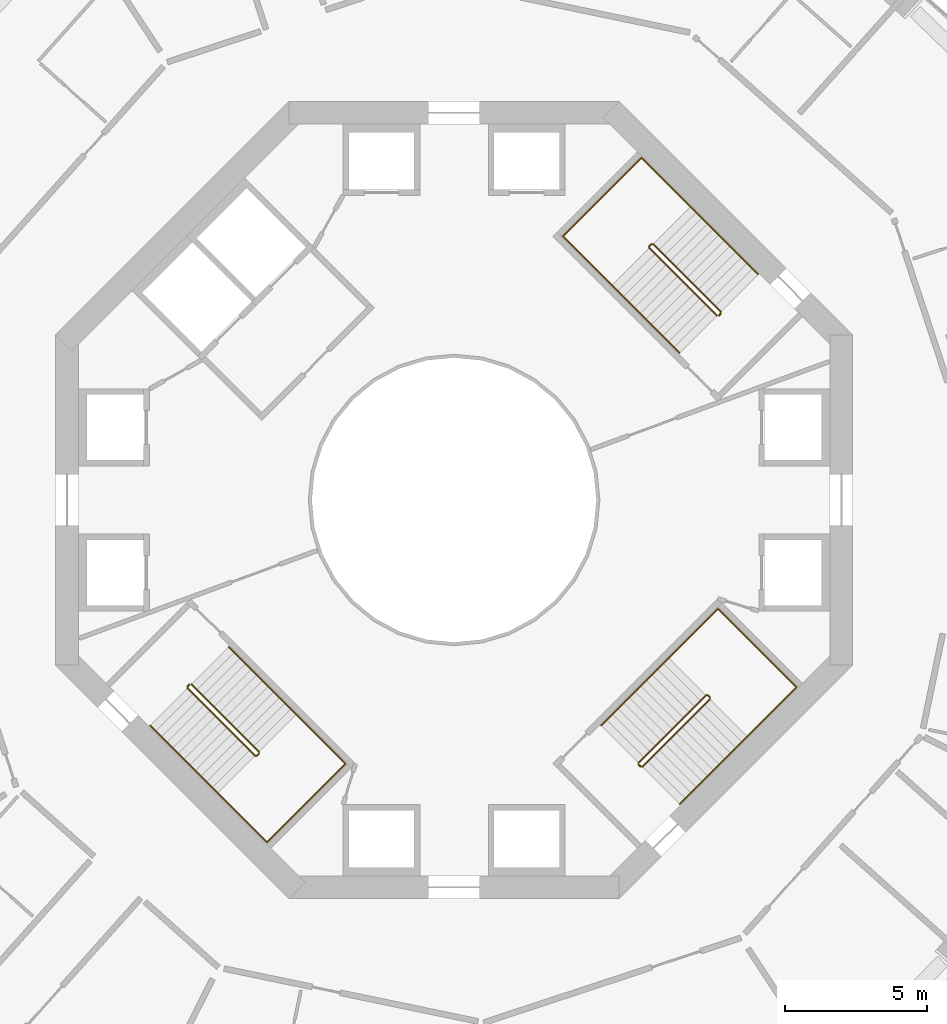
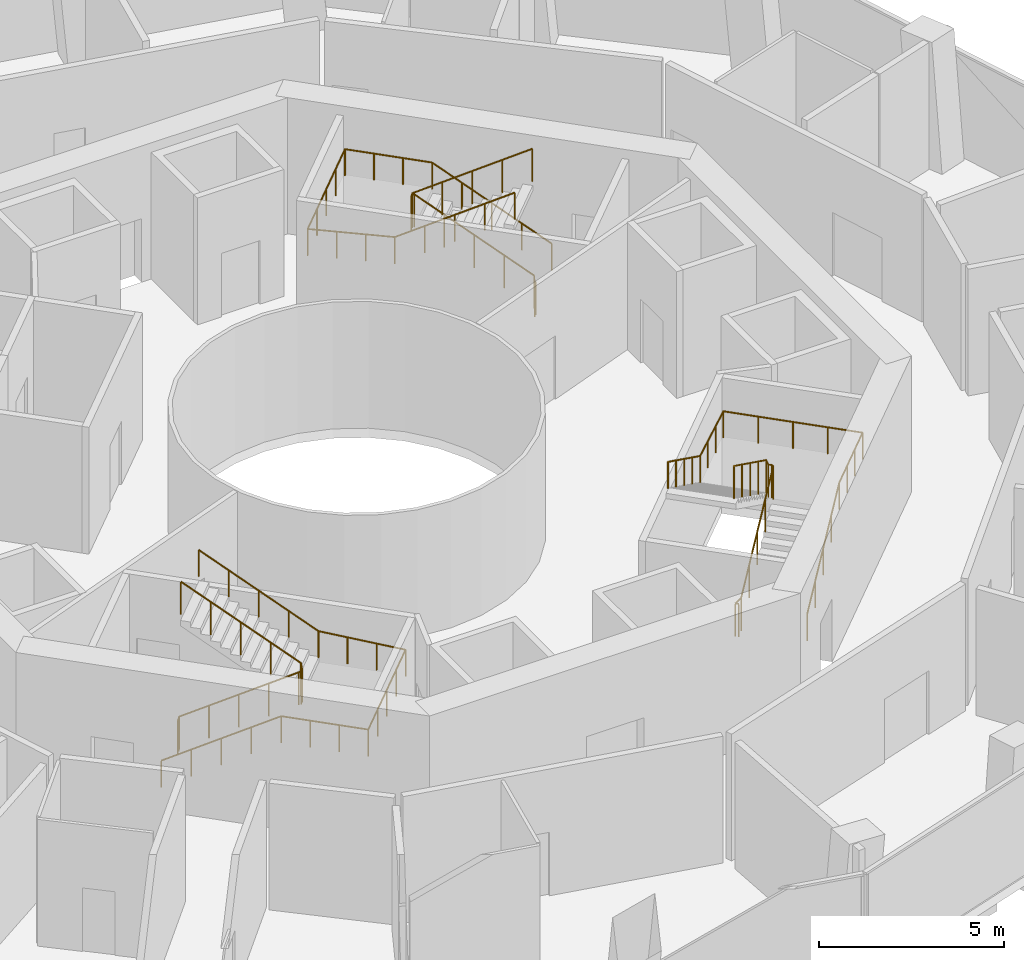
# One storey, part 21 of 21: 6 railings.
"""IFC4 building model written with IfcOpenShell, lengths in metres."""

from ifc_helpers import new_model, si_unit, direction, frame, origin, origin_2d, place, context, subcontext, project, spatial, circle, extrude, material, type_object, element, save


model = new_model("IFC4")

# Units and contexts
model_context = context("Model", 3, precision=1e-05, world=origin(), true_north=direction((0.0, 1.0)))
body_context = subcontext(model_context, "Body", "Model", "MODEL_VIEW")
ifc_project = project(units=[si_unit("LENGTHUNIT", "METRE"), si_unit("AREAUNIT", "SQUARE_METRE"), si_unit("VOLUMEUNIT", "CUBIC_METRE"), si_unit("PLANEANGLEUNIT", "RADIAN"), si_unit("MASSUNIT", "GRAM", prefix="KILO")], contexts=[model_context])

# Site, building, storey
site_placement = place(None, origin())
site = spatial("IfcSite", under=ifc_project, at=site_placement, CompositionType="ELEMENT")
building_placement = place(site_placement, origin())
building = spatial("IfcBuilding", under=site, at=building_placement, Name="Verdalira Terraces Hotel", CompositionType="ELEMENT")
storey_placement = place(building_placement, frame((0.0, 0.0, 107.0)))
storey = spatial("IfcBuildingStorey", under=building, at=storey_placement, Name="L25", CompositionType="ELEMENT", Elevation=107.0)

# Railings
ifc_material_1 = material(Name="Stainless steel", Category="steel")
railing_type_1 = type_object("IfcRailingType", Name="Stair guard 1100", PredefinedType="GUARDRAIL", material=ifc_material_1)
railing_1_placement = place(storey_placement, frame((9.369141, 6.540771, 0.0)))
element("IfcRailing", 1, at=railing_1_placement, inside=storey, type_object=railing_type_1, Name="L25 ST1 stair guard 1", PredefinedType="GUARDRAIL", context=body_context, shape_type="SweptSolid", body=[
    extrude(circle(Radius=0.023926, at=origin_2d()), frame((0.0, 0.0, 1.076172), z_axis=(-0.707106781, -0.707106781, 0.0), x_axis=(0.707106781, -0.707106781, 0.0)), (0.0, 0.0, 1.0), 0.100098),
    extrude(circle(Radius=0.023926, at=origin_2d()), frame((-0.070801, -0.070801, 1.076172), z_axis=(0.302014195, 0.602986962, 0.738372636), x_axis=(-0.894118129, 0.447831187, 0.0)), (0.0, 0.0, 1.0), 0.234375),
    extrude(circle(Radius=0.023926, at=origin_2d()), frame((0.0, 0.070557, 1.249023), z_axis=(-0.601482972, 0.601482972, 0.52577226), x_axis=(-0.707106781, -0.707106781, 0.0)), (0.0, 0.0, 1.0), 3.950195),
    extrude(circle(Radius=0.023926, at=origin_2d()), frame((-2.375977, 2.446533, 3.326172), z_axis=(-1.0, 0.0, 0.0), x_axis=(0.0, -1.0, 0.0)), (0.0, 0.0, 1.0), 0.070557),
    extrude(circle(Radius=0.023926, at=origin_2d()), frame((-2.446533, 2.446533, 3.326172), z_axis=(-0.707106781, -0.707106781, 0.0), x_axis=(0.707106781, -0.707106781, 0.0)), (0.0, 0.0, 1.0), 0.100098),
    extrude(circle(Radius=0.023926, at=origin_2d()), frame((-2.517334, 2.375732, 3.326172), z_axis=(0.0, -0.377462833, 0.926024735), x_axis=(1.0, 0.0, 0.0)), (0.0, 0.0, 1.0), 0.187012),
    extrude(circle(Radius=0.023926, at=origin_2d()), frame((-2.517334, 2.305176, 3.499023), z_axis=(0.601482972, -0.601482972, 0.52577226), x_axis=(0.707106781, 0.707106781, 0.0)), (0.0, 0.0, 1.0), 3.950195),
    extrude(circle(Radius=0.020996, at=origin_2d()), origin(), (0.0, 0.0, 1.0), 1.052002),
    extrude(circle(Radius=0.020996, at=origin_2d()), frame((-0.070801, -0.070801, 0.0)), (0.0, 0.0, 1.0), 1.052002),
    extrude(circle(Radius=0.020996, at=origin_2d()), frame((0.0, 0.070557, 0.173096)), (0.0, 0.0, 1.0), 1.052002),
    extrude(circle(Radius=0.020996, at=origin_2d()), frame((-0.593994, 0.664551, 0.692383)), (0.0, 0.0, 1.0), 1.052002),
    extrude(circle(Radius=0.020996, at=origin_2d()), frame((-1.187988, 1.258545, 1.211426)), (0.0, 0.0, 1.0), 1.052002),
    extrude(circle(Radius=0.020996, at=origin_2d()), frame((-1.781982, 1.852539, 1.730713)), (0.0, 0.0, 1.0), 1.052002),
    extrude(circle(Radius=0.020996, at=origin_2d()), frame((-2.375977, 2.446533, 2.25)), (0.0, 0.0, 1.0), 1.052002),
    extrude(circle(Radius=0.020996, at=origin_2d()), frame((-2.446533, 2.446533, 2.25)), (0.0, 0.0, 1.0), 1.052002),
    extrude(circle(Radius=0.020996, at=origin_2d()), frame((-2.517334, 2.375732, 2.25)), (0.0, 0.0, 1.0), 1.052002),
    extrude(circle(Radius=0.020996, at=origin_2d()), frame((-2.517334, 2.305176, 2.423096)), (0.0, 0.0, 1.0), 1.052002),
    extrude(circle(Radius=0.020996, at=origin_2d()), frame((-1.92334, 1.711182, 2.942383)), (0.0, 0.0, 1.0), 1.052002),
    extrude(circle(Radius=0.020996, at=origin_2d()), frame((-1.329346, 1.117188, 3.461426)), (0.0, 0.0, 1.0), 1.052002),
    extrude(circle(Radius=0.020996, at=origin_2d()), frame((-0.735352, 0.523193, 3.980713)), (0.0, 0.0, 1.0), 1.052002),
    extrude(circle(Radius=0.020996, at=origin_2d()), frame((-0.141357, -0.070801, 4.5)), (0.0, 0.0, 1.0), 1.052002),
])
railing_2_placement = place(storey_placement, frame((-9.369141, -6.540771, 0.0)))
element("IfcRailing", 2, at=railing_2_placement, inside=storey, type_object=railing_type_1, Name="L25 ST2 stair guard 1", PredefinedType="GUARDRAIL", context=body_context, shape_type="SweptSolid", body=[
    extrude(circle(Radius=0.023926, at=origin_2d()), frame((0.0, 0.0, 1.076172), z_axis=(0.707106781, 0.707106781, 0.0), x_axis=(-0.707106781, 0.707106781, 0.0)), (0.0, 0.0, 1.0), 0.100098),
    extrude(circle(Radius=0.023926, at=origin_2d()), frame((0.070801, 0.070801, 1.076172), z_axis=(-0.302014195, -0.602986962, 0.738372636), x_axis=(0.894118129, -0.447831187, 0.0)), (0.0, 0.0, 1.0), 0.234375),
    extrude(circle(Radius=0.023926, at=origin_2d()), frame((0.0, -0.070557, 1.249023), z_axis=(0.601482972, -0.601482972, 0.52577226), x_axis=(0.707106781, 0.707106781, 0.0)), (0.0, 0.0, 1.0), 3.950195),
    extrude(circle(Radius=0.023926, at=origin_2d()), frame((2.375977, -2.446533, 3.326172), z_axis=(1.0, 0.0, 0.0), x_axis=(0.0, 1.0, 0.0)), (0.0, 0.0, 1.0), 0.070557),
    extrude(circle(Radius=0.023926, at=origin_2d()), frame((2.446533, -2.446533, 3.326172), z_axis=(0.707106781, 0.707106781, 0.0), x_axis=(-0.707106781, 0.707106781, 0.0)), (0.0, 0.0, 1.0), 0.100098),
    extrude(circle(Radius=0.023926, at=origin_2d()), frame((2.517334, -2.375732, 3.326172), z_axis=(0.0, 0.377462833, 0.926024735), x_axis=(-1.0, 0.0, 0.0)), (0.0, 0.0, 1.0), 0.187012),
    extrude(circle(Radius=0.023926, at=origin_2d()), frame((2.517334, -2.305176, 3.499023), z_axis=(-0.601482972, 0.601482972, 0.52577226), x_axis=(-0.707106781, -0.707106781, 0.0)), (0.0, 0.0, 1.0), 3.950195),
    extrude(circle(Radius=0.020996, at=origin_2d()), origin(), (0.0, 0.0, 1.0), 1.052002),
    extrude(circle(Radius=0.020996, at=origin_2d()), frame((0.070801, 0.070801, 0.0)), (0.0, 0.0, 1.0), 1.052002),
    extrude(circle(Radius=0.020996, at=origin_2d()), frame((0.0, -0.070557, 0.173096)), (0.0, 0.0, 1.0), 1.052002),
    extrude(circle(Radius=0.020996, at=origin_2d()), frame((0.593994, -0.664551, 0.692383)), (0.0, 0.0, 1.0), 1.052002),
    extrude(circle(Radius=0.020996, at=origin_2d()), frame((1.187988, -1.258545, 1.211426)), (0.0, 0.0, 1.0), 1.052002),
    extrude(circle(Radius=0.020996, at=origin_2d()), frame((1.781982, -1.852539, 1.730713)), (0.0, 0.0, 1.0), 1.052002),
    extrude(circle(Radius=0.020996, at=origin_2d()), frame((2.375977, -2.446533, 2.25)), (0.0, 0.0, 1.0), 1.052002),
    extrude(circle(Radius=0.020996, at=origin_2d()), frame((2.446533, -2.446533, 2.25)), (0.0, 0.0, 1.0), 1.052002),
    extrude(circle(Radius=0.020996, at=origin_2d()), frame((2.517334, -2.375732, 2.25)), (0.0, 0.0, 1.0), 1.052002),
    extrude(circle(Radius=0.020996, at=origin_2d()), frame((2.517334, -2.305176, 2.423096)), (0.0, 0.0, 1.0), 1.052002),
    extrude(circle(Radius=0.020996, at=origin_2d()), frame((1.92334, -1.711182, 2.942383)), (0.0, 0.0, 1.0), 1.052002),
    extrude(circle(Radius=0.020996, at=origin_2d()), frame((1.329346, -1.117188, 3.461426)), (0.0, 0.0, 1.0), 1.052002),
    extrude(circle(Radius=0.020996, at=origin_2d()), frame((0.735352, -0.523193, 3.980713)), (0.0, 0.0, 1.0), 1.052002),
    extrude(circle(Radius=0.020996, at=origin_2d()), frame((0.141357, 0.070801, 4.5)), (0.0, 0.0, 1.0), 1.052002),
])
railing_3_placement = place(storey_placement, frame((6.540771, -9.369141, 0.0)))
element("IfcRailing", 3, at=railing_3_placement, inside=storey, type_object=railing_type_1, Name="L25 ST3 stair guard 1", PredefinedType="GUARDRAIL", context=body_context, shape_type="SweptSolid", body=[
    extrude(circle(Radius=0.023926, at=origin_2d()), frame((0.0, 0.0, 1.076172), z_axis=(-0.707106781, 0.707106781, 0.0), x_axis=(-0.707106781, -0.707106781, 0.0)), (0.0, 0.0, 1.0), 0.100098),
    extrude(circle(Radius=0.023926, at=origin_2d()), frame((-0.070801, 0.070801, 1.076172), z_axis=(0.602986962, -0.302014195, 0.738372636), x_axis=(0.447831187, 0.894118129, 0.0)), (0.0, 0.0, 1.0), 0.234375),
    extrude(circle(Radius=0.023926, at=origin_2d()), frame((0.070557, 0.0, 1.249023), z_axis=(0.601482972, 0.601482972, 0.52577226), x_axis=(-0.707106781, 0.707106781, 0.0)), (0.0, 0.0, 1.0), 3.950195),
    extrude(circle(Radius=0.023926, at=origin_2d()), frame((2.446533, 2.375977, 3.326172), z_axis=(0.0, 1.0, 0.0), x_axis=(-1.0, 0.0, 0.0)), (0.0, 0.0, 1.0), 0.070557),
    extrude(circle(Radius=0.023926, at=origin_2d()), frame((2.446533, 2.446533, 3.326172), z_axis=(-0.707106781, 0.707106781, 0.0), x_axis=(-0.707106781, -0.707106781, 0.0)), (0.0, 0.0, 1.0), 0.100098),
    extrude(circle(Radius=0.023926, at=origin_2d()), frame((2.375732, 2.517334, 3.326172), z_axis=(-0.377462833, 0.0, 0.926024735), x_axis=(0.0, -1.0, 0.0)), (0.0, 0.0, 1.0), 0.187012),
    extrude(circle(Radius=0.023926, at=origin_2d()), frame((2.305176, 2.517334, 3.499023), z_axis=(-0.601482972, -0.601482972, 0.52577226), x_axis=(0.707106781, -0.707106781, 0.0)), (0.0, 0.0, 1.0), 3.950195),
    extrude(circle(Radius=0.020996, at=origin_2d()), origin(), (0.0, 0.0, 1.0), 1.052002),
    extrude(circle(Radius=0.020996, at=origin_2d()), frame((-0.070801, 0.070801, 0.0)), (0.0, 0.0, 1.0), 1.052002),
    extrude(circle(Radius=0.020996, at=origin_2d()), frame((0.070557, 0.0, 0.173096)), (0.0, 0.0, 1.0), 1.052002),
    extrude(circle(Radius=0.020996, at=origin_2d()), frame((0.664551, 0.593994, 0.692383)), (0.0, 0.0, 1.0), 1.052002),
    extrude(circle(Radius=0.020996, at=origin_2d()), frame((1.258545, 1.187988, 1.211426)), (0.0, 0.0, 1.0), 1.052002),
    extrude(circle(Radius=0.020996, at=origin_2d()), frame((1.852539, 1.781982, 1.730713)), (0.0, 0.0, 1.0), 1.052002),
    extrude(circle(Radius=0.020996, at=origin_2d()), frame((2.446533, 2.375977, 2.25)), (0.0, 0.0, 1.0), 1.052002),
    extrude(circle(Radius=0.020996, at=origin_2d()), frame((2.446533, 2.446533, 2.25)), (0.0, 0.0, 1.0), 1.052002),
    extrude(circle(Radius=0.020996, at=origin_2d()), frame((2.375732, 2.517334, 2.25)), (0.0, 0.0, 1.0), 1.052002),
    extrude(circle(Radius=0.020996, at=origin_2d()), frame((2.305176, 2.517334, 2.423096)), (0.0, 0.0, 1.0), 1.052002),
    extrude(circle(Radius=0.020996, at=origin_2d()), frame((1.711182, 1.92334, 2.942383)), (0.0, 0.0, 1.0), 1.052002),
    extrude(circle(Radius=0.020996, at=origin_2d()), frame((1.117188, 1.329346, 3.461426)), (0.0, 0.0, 1.0), 1.052002),
    extrude(circle(Radius=0.020996, at=origin_2d()), frame((0.523193, 0.735352, 3.980713)), (0.0, 0.0, 1.0), 1.052002),
    extrude(circle(Radius=0.020996, at=origin_2d()), frame((-0.070801, 0.141357, 4.5)), (0.0, 0.0, 1.0), 1.052002),
])
ifc_material_2 = material(Name="Stainless steel", Category="steel")
railing_type_2 = type_object("IfcRailingType", Name="Stair handrail 900", PredefinedType="HANDRAIL", material=ifc_material_2)
railing_4_placement = place(storey_placement, frame((10.677246, 7.919678, 0.173096)))
element("IfcRailing", 4, at=railing_4_placement, inside=storey, type_object=railing_type_2, Name="L25 ST1 stair handrail 1", PredefinedType="HANDRAIL", context=body_context, shape_type="SweptSolid", body=[
    extrude(circle(Radius=0.023926, at=origin_2d()), frame((0.0, 0.0, 0.875977), z_axis=(-0.601465885, 0.601465885, 0.525811353), x_axis=(-0.707106781, -0.707106781, 0.0)), (0.0, 0.0, 1.0), 3.949951),
    extrude(circle(Radius=0.023926, at=origin_2d()), frame((-2.375732, 2.375732, 2.952637), z_axis=(-0.707106781, 0.707106781, 0.0), x_axis=(-0.707106781, -0.707106781, 0.0)), (0.0, 0.0, 1.0), 2.439941),
    extrude(circle(Radius=0.023926, at=origin_2d()), frame((-4.101074, 4.101074, 2.952637), z_axis=(-0.707138081, -0.70707548, 0.0), x_axis=(0.70707548, -0.707138081, 0.0)), (0.0, 0.0, 1.0), 3.899902),
    extrude(circle(Radius=0.023926, at=origin_2d()), frame((-6.858887, 1.343506, 2.952637), z_axis=(0.705334177, -0.705334177, 0.070762973), x_axis=(0.707106781, 0.707106781, 0.0)), (0.0, 0.0, 1.0), 2.446045),
    extrude(circle(Radius=0.023926, at=origin_2d()), frame((-5.133545, -0.381836, 3.125977), z_axis=(0.601482972, -0.601482972, 0.52577226), x_axis=(0.707106781, 0.707106781, 0.0)), (0.0, 0.0, 1.0), 3.950195),
    extrude(circle(Radius=0.020996, at=origin_2d()), origin(), (0.0, 0.0, 1.0), 0.851807),
    extrude(circle(Radius=0.020996, at=origin_2d()), frame((-0.593994, 0.593994, 0.519287)), (0.0, 0.0, 1.0), 0.851807),
    extrude(circle(Radius=0.020996, at=origin_2d()), frame((-1.187988, 1.187988, 1.038574)), (0.0, 0.0, 1.0), 0.851807),
    extrude(circle(Radius=0.020996, at=origin_2d()), frame((-1.781738, 1.781738, 1.557617)), (0.0, 0.0, 1.0), 0.851807),
    extrude(circle(Radius=0.020996, at=origin_2d()), frame((-2.375732, 2.375732, 2.076904)), (0.0, 0.0, 1.0), 0.851807),
    extrude(circle(Radius=0.020996, at=origin_2d()), frame((-2.950928, 2.950928, 2.076904)), (0.0, 0.0, 1.0), 0.851807),
    extrude(circle(Radius=0.020996, at=origin_2d()), frame((-3.525879, 3.525879, 2.076904)), (0.0, 0.0, 1.0), 0.851807),
    extrude(circle(Radius=0.020996, at=origin_2d()), frame((-4.101074, 4.101074, 2.076904)), (0.0, 0.0, 1.0), 0.851807),
    extrude(circle(Radius=0.020996, at=origin_2d()), frame((-4.790527, 3.411621, 2.076904)), (0.0, 0.0, 1.0), 0.851807),
    extrude(circle(Radius=0.020996, at=origin_2d()), frame((-5.47998, 2.722168, 2.076904)), (0.0, 0.0, 1.0), 0.851807),
    extrude(circle(Radius=0.020996, at=origin_2d()), frame((-6.169434, 2.032959, 2.076904)), (0.0, 0.0, 1.0), 0.851807),
    extrude(circle(Radius=0.020996, at=origin_2d()), frame((-6.858887, 1.343506, 2.076904)), (0.0, 0.0, 1.0), 0.851807),
    extrude(circle(Radius=0.020996, at=origin_2d()), frame((-6.283691, 0.768311, 2.134521)), (0.0, 0.0, 1.0), 0.851807),
    extrude(circle(Radius=0.020996, at=origin_2d()), frame((-5.70874, 0.193359, 2.192383)), (0.0, 0.0, 1.0), 0.851807),
    extrude(circle(Radius=0.020996, at=origin_2d()), frame((-5.133545, -0.381836, 2.25)), (0.0, 0.0, 1.0), 0.851807),
    extrude(circle(Radius=0.020996, at=origin_2d()), frame((-4.539551, -0.97583, 2.769287)), (0.0, 0.0, 1.0), 0.851807),
    extrude(circle(Radius=0.020996, at=origin_2d()), frame((-3.945557, -1.569824, 3.288574)), (0.0, 0.0, 1.0), 0.851807),
    extrude(circle(Radius=0.020996, at=origin_2d()), frame((-3.351562, -2.163818, 3.807617)), (0.0, 0.0, 1.0), 0.851807),
    extrude(circle(Radius=0.020996, at=origin_2d()), frame((-2.757568, -2.757812, 4.326904)), (0.0, 0.0, 1.0), 0.851807),
])
railing_5_placement = place(storey_placement, frame((-10.677246, -7.919678, 0.173096)))
element("IfcRailing", 5, at=railing_5_placement, inside=storey, type_object=railing_type_2, Name="L25 ST2 stair handrail 1", PredefinedType="HANDRAIL", context=body_context, shape_type="SweptSolid", body=[
    extrude(circle(Radius=0.023926, at=origin_2d()), frame((0.0, 0.0, 0.875977), z_axis=(0.601465885, -0.601465885, 0.525811353), x_axis=(0.707106781, 0.707106781, 0.0)), (0.0, 0.0, 1.0), 3.949951),
    extrude(circle(Radius=0.023926, at=origin_2d()), frame((2.375732, -2.375732, 2.952637), z_axis=(0.707106781, -0.707106781, 0.0), x_axis=(0.707106781, 0.707106781, 0.0)), (0.0, 0.0, 1.0), 2.439941),
    extrude(circle(Radius=0.023926, at=origin_2d()), frame((4.101074, -4.101074, 2.952637), z_axis=(0.707138081, 0.70707548, 0.0), x_axis=(-0.70707548, 0.707138081, 0.0)), (0.0, 0.0, 1.0), 3.899902),
    extrude(circle(Radius=0.023926, at=origin_2d()), frame((6.858887, -1.343506, 2.952637), z_axis=(-0.705334177, 0.705334177, 0.070762973), x_axis=(-0.707106781, -0.707106781, 0.0)), (0.0, 0.0, 1.0), 2.446045),
    extrude(circle(Radius=0.023926, at=origin_2d()), frame((5.133545, 0.381836, 3.125977), z_axis=(-0.601482972, 0.601482972, 0.52577226), x_axis=(-0.707106781, -0.707106781, 0.0)), (0.0, 0.0, 1.0), 3.950195),
    extrude(circle(Radius=0.020996, at=origin_2d()), origin(), (0.0, 0.0, 1.0), 0.851807),
    extrude(circle(Radius=0.020996, at=origin_2d()), frame((0.593994, -0.593994, 0.519287)), (0.0, 0.0, 1.0), 0.851807),
    extrude(circle(Radius=0.020996, at=origin_2d()), frame((1.187988, -1.187988, 1.038574)), (0.0, 0.0, 1.0), 0.851807),
    extrude(circle(Radius=0.020996, at=origin_2d()), frame((1.781738, -1.781738, 1.557617)), (0.0, 0.0, 1.0), 0.851807),
    extrude(circle(Radius=0.020996, at=origin_2d()), frame((2.375732, -2.375732, 2.076904)), (0.0, 0.0, 1.0), 0.851807),
    extrude(circle(Radius=0.020996, at=origin_2d()), frame((2.950928, -2.950928, 2.076904)), (0.0, 0.0, 1.0), 0.851807),
    extrude(circle(Radius=0.020996, at=origin_2d()), frame((3.525879, -3.525879, 2.076904)), (0.0, 0.0, 1.0), 0.851807),
    extrude(circle(Radius=0.020996, at=origin_2d()), frame((4.101074, -4.101074, 2.076904)), (0.0, 0.0, 1.0), 0.851807),
    extrude(circle(Radius=0.020996, at=origin_2d()), frame((4.790527, -3.411621, 2.076904)), (0.0, 0.0, 1.0), 0.851807),
    extrude(circle(Radius=0.020996, at=origin_2d()), frame((5.47998, -2.722168, 2.076904)), (0.0, 0.0, 1.0), 0.851807),
    extrude(circle(Radius=0.020996, at=origin_2d()), frame((6.169434, -2.032959, 2.076904)), (0.0, 0.0, 1.0), 0.851807),
    extrude(circle(Radius=0.020996, at=origin_2d()), frame((6.858887, -1.343506, 2.076904)), (0.0, 0.0, 1.0), 0.851807),
    extrude(circle(Radius=0.020996, at=origin_2d()), frame((6.283691, -0.768311, 2.134521)), (0.0, 0.0, 1.0), 0.851807),
    extrude(circle(Radius=0.020996, at=origin_2d()), frame((5.70874, -0.193359, 2.192383)), (0.0, 0.0, 1.0), 0.851807),
    extrude(circle(Radius=0.020996, at=origin_2d()), frame((5.133545, 0.381836, 2.25)), (0.0, 0.0, 1.0), 0.851807),
    extrude(circle(Radius=0.020996, at=origin_2d()), frame((4.539551, 0.97583, 2.769287)), (0.0, 0.0, 1.0), 0.851807),
    extrude(circle(Radius=0.020996, at=origin_2d()), frame((3.945557, 1.569824, 3.288574)), (0.0, 0.0, 1.0), 0.851807),
    extrude(circle(Radius=0.020996, at=origin_2d()), frame((3.351562, 2.163818, 3.807617)), (0.0, 0.0, 1.0), 0.851807),
    extrude(circle(Radius=0.020996, at=origin_2d()), frame((2.757568, 2.757812, 4.326904)), (0.0, 0.0, 1.0), 0.851807),
])
railing_6_placement = place(storey_placement, frame((7.919678, -10.677246, 0.173096)))
element("IfcRailing", 6, at=railing_6_placement, inside=storey, type_object=railing_type_2, Name="L25 ST3 stair handrail 1", PredefinedType="HANDRAIL", context=body_context, shape_type="SweptSolid", body=[
    extrude(circle(Radius=0.023926, at=origin_2d()), frame((0.0, 0.0, 0.875977), z_axis=(0.601465885, 0.601465885, 0.525811353), x_axis=(-0.707106781, 0.707106781, 0.0)), (0.0, 0.0, 1.0), 3.949951),
    extrude(circle(Radius=0.023926, at=origin_2d()), frame((2.375732, 2.375732, 2.952637), z_axis=(0.707106781, 0.707106781, 0.0), x_axis=(-0.707106781, 0.707106781, 0.0)), (0.0, 0.0, 1.0), 2.439941),
    extrude(circle(Radius=0.023926, at=origin_2d()), frame((4.101074, 4.101074, 2.952637), z_axis=(-0.70707548, 0.707138081, 0.0), x_axis=(-0.707138081, -0.70707548, 0.0)), (0.0, 0.0, 1.0), 3.899902),
    extrude(circle(Radius=0.023926, at=origin_2d()), frame((1.343506, 6.858887, 2.952637), z_axis=(-0.705334177, -0.705334177, 0.070762973), x_axis=(0.707106781, -0.707106781, 0.0)), (0.0, 0.0, 1.0), 2.446045),
    extrude(circle(Radius=0.023926, at=origin_2d()), frame((-0.381836, 5.133545, 3.125977), z_axis=(-0.601482972, -0.601482972, 0.52577226), x_axis=(0.707106781, -0.707106781, 0.0)), (0.0, 0.0, 1.0), 3.950195),
    extrude(circle(Radius=0.020996, at=origin_2d()), origin(), (0.0, 0.0, 1.0), 0.851807),
    extrude(circle(Radius=0.020996, at=origin_2d()), frame((0.593994, 0.593994, 0.519287)), (0.0, 0.0, 1.0), 0.851807),
    extrude(circle(Radius=0.020996, at=origin_2d()), frame((1.187988, 1.187988, 1.038574)), (0.0, 0.0, 1.0), 0.851807),
    extrude(circle(Radius=0.020996, at=origin_2d()), frame((1.781738, 1.781738, 1.557617)), (0.0, 0.0, 1.0), 0.851807),
    extrude(circle(Radius=0.020996, at=origin_2d()), frame((2.375732, 2.375732, 2.076904)), (0.0, 0.0, 1.0), 0.851807),
    extrude(circle(Radius=0.020996, at=origin_2d()), frame((2.950928, 2.950928, 2.076904)), (0.0, 0.0, 1.0), 0.851807),
    extrude(circle(Radius=0.020996, at=origin_2d()), frame((3.525879, 3.525879, 2.076904)), (0.0, 0.0, 1.0), 0.851807),
    extrude(circle(Radius=0.020996, at=origin_2d()), frame((4.101074, 4.101074, 2.076904)), (0.0, 0.0, 1.0), 0.851807),
    extrude(circle(Radius=0.020996, at=origin_2d()), frame((3.411621, 4.790527, 2.076904)), (0.0, 0.0, 1.0), 0.851807),
    extrude(circle(Radius=0.020996, at=origin_2d()), frame((2.722168, 5.47998, 2.076904)), (0.0, 0.0, 1.0), 0.851807),
    extrude(circle(Radius=0.020996, at=origin_2d()), frame((2.032959, 6.169434, 2.076904)), (0.0, 0.0, 1.0), 0.851807),
    extrude(circle(Radius=0.020996, at=origin_2d()), frame((1.343506, 6.858887, 2.076904)), (0.0, 0.0, 1.0), 0.851807),
    extrude(circle(Radius=0.020996, at=origin_2d()), frame((0.768311, 6.283691, 2.134521)), (0.0, 0.0, 1.0), 0.851807),
    extrude(circle(Radius=0.020996, at=origin_2d()), frame((0.193359, 5.70874, 2.192383)), (0.0, 0.0, 1.0), 0.851807),
    extrude(circle(Radius=0.020996, at=origin_2d()), frame((-0.381836, 5.133545, 2.25)), (0.0, 0.0, 1.0), 0.851807),
    extrude(circle(Radius=0.020996, at=origin_2d()), frame((-0.97583, 4.539551, 2.769287)), (0.0, 0.0, 1.0), 0.851807),
    extrude(circle(Radius=0.020996, at=origin_2d()), frame((-1.569824, 3.945557, 3.288574)), (0.0, 0.0, 1.0), 0.851807),
    extrude(circle(Radius=0.020996, at=origin_2d()), frame((-2.163818, 3.351562, 3.807617)), (0.0, 0.0, 1.0), 0.851807),
    extrude(circle(Radius=0.020996, at=origin_2d()), frame((-2.757812, 2.757568, 4.326904)), (0.0, 0.0, 1.0), 0.851807),
])

save(model, "model.ifc")
